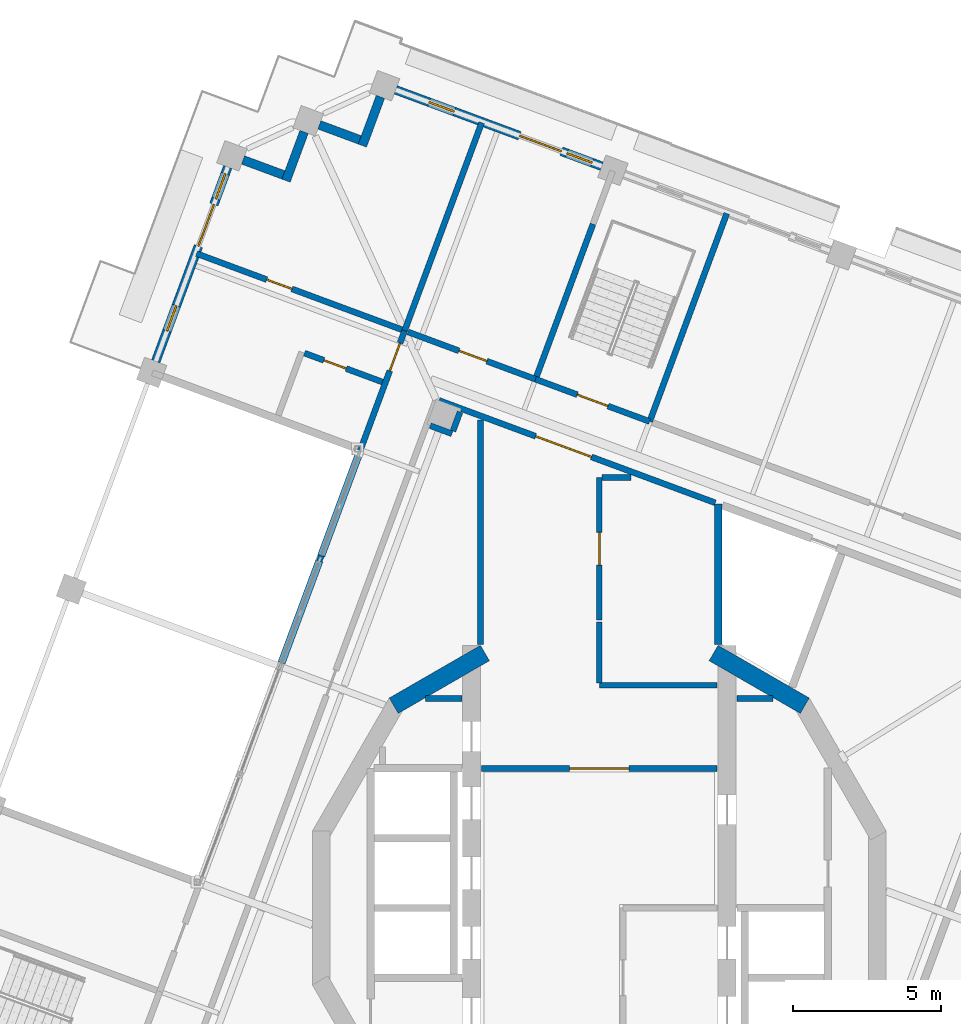
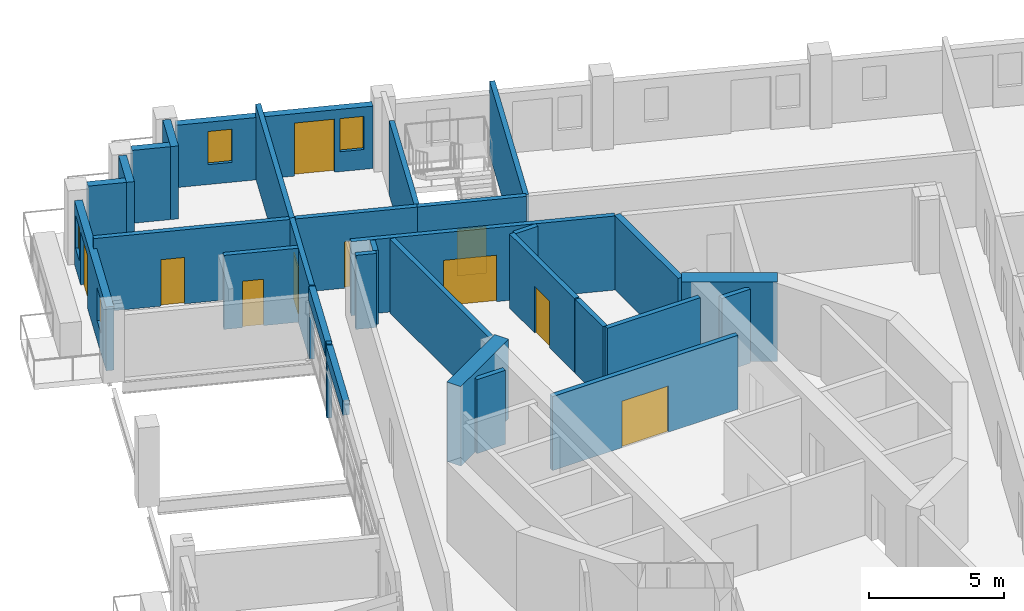
# One storey, part 11 of 20: 31 walls, 10 doors, 4 windows, 14 openings.
"""IFC4 building model written with IfcOpenShell, lengths in metres."""

from ifc_helpers import new_model, si_unit, direction, frame, frame_2d, origin, place, context, subcontext, project, spatial, rectangle, extrude, material, layer, layer_set, type_object, element, fill, save


model = new_model("IFC4")

# Units and contexts
model_context = context("Model", 3, precision=1e-05, world=origin(), true_north=direction((0.0, 1.0)))
body_context = subcontext(model_context, "Body", "Model", "MODEL_VIEW")
ifc_project = project(units=[si_unit("LENGTHUNIT", "METRE"), si_unit("AREAUNIT", "SQUARE_METRE"), si_unit("VOLUMEUNIT", "CUBIC_METRE"), si_unit("PLANEANGLEUNIT", "RADIAN"), si_unit("MASSUNIT", "GRAM", prefix="KILO")], contexts=[model_context])

# Site, building, storey
site_placement = place(None, origin())
site = spatial("IfcSite", under=ifc_project, at=site_placement, CompositionType="ELEMENT")
building_placement = place(site_placement, origin())
building = spatial("IfcBuilding", under=site, at=building_placement, Name="Cantera Rosa Tower", CompositionType="ELEMENT")
storey_placement = place(building_placement, frame((0.0, 0.0, 313.300048828125)))
storey = spatial("IfcBuildingStorey", under=building, at=storey_placement, Name="L69", CompositionType="ELEMENT", Elevation=313.300048828125)

# Wall, opening, door
ifc_material_1 = material(Name="Gypsum board partition")
ifc_layer_1 = layer(ifc_material_1, 0.199951171875)
ifc_layer_set_1 = layer_set([ifc_layer_1], Name="CORRIDOR WALL 200 H3350")
wall_type_1 = type_object("IfcWallType", Name="CORRIDOR WALL 200 H3350", PredefinedType="PARTITIONING", material=ifc_layer_set_1)
wall_1_placement = place(storey_placement, frame((-6.5537109375, 19.438720703125, 0.0), z_axis=(0.0, 0.0, 1.0), x_axis=(-0.347494854736, -0.937681889519, 0.0)))
wall_1 = element("IfcWall", 1, at=wall_1_placement, inside=storey, type_object=wall_type_1, Name="CORRIDOR WALL L69-028", PredefinedType="PARTITIONING", context=body_context, shape_type="SweptSolid", body=[
    extrude(rectangle(XDim=4.405029296875, YDim=0.199951171875, at=frame_2d((2.20263671875, 0.0))), origin(), (0.0, 0.0, 1.0), 3.349853515625),
])
opening_1_placement = place(wall_1_placement, frame((0.43994140625, 0.0, 0.0)))
opening_1 = element("IfcOpeningElement", 2, at=opening_1_placement, cuts=wall_1, Name="Opening L69-023", PredefinedType="OPENING", context=body_context, shape_type="SweptSolid", body=[
    extrude(rectangle(XDim=1.0, YDim=2.10009765625, at=frame_2d((0.5, 1.050048828125))), frame((0.0, 0.10986328125, 0.0), z_axis=(0.0, -1.0, 0.0), x_axis=(1.0, 0.0, 0.0)), (0.0, 0.0, 1.0), 0.219970703125),
])
ifc_material_2 = material(Name="Timber door leaf", Category="wood")
door_type_1 = type_object("IfcDoorType", Name="ENTRANCE DOOR 1000x2100", OperationType="NOTDEFINED", PredefinedType="DOOR", material=ifc_material_2)
door_1_placement = place(opening_1_placement, origin())
door_1 = element("IfcDoor", 3, at=door_1_placement, inside=storey, type_object=door_type_1, Name="DOOR L69-023", OperationType="NOTDEFINED", OverallHeight=2.10009765625, OverallWidth=1.0, PredefinedType="DOOR", context=body_context, shape_type="SweptSolid", body=[
    extrude(rectangle(XDim=1.0, YDim=2.10009765625, at=frame_2d((0.5, 1.050048828125))), frame((0.0, 0.02490234375, 0.0), z_axis=(0.0, -1.0, 0.0), x_axis=(1.0, 0.0, 0.0)), (0.0, 0.0, 1.0), 0.050048828125),
])
fill(opening_1, door_1)

# Walls
wall_2_placement = place(storey_placement, frame((-9.359130859375, 11.86865234375, 0.0), z_axis=(0.0, 0.0, 1.0), x_axis=(-0.347396343458, -0.937718390857, 0.0)))
element("IfcWall", 4, at=wall_2_placement, inside=storey, type_object=wall_type_1, Name="CORRIDOR WALL L69-029", PredefinedType="PARTITIONING", context=body_context, shape_type="SweptSolid", body=[
    extrude(rectangle(XDim=0.19384765625, YDim=0.199951171875, at=frame_2d((0.096923828125, 0.0))), origin(), (0.0, 0.0, 1.0), 3.349853515625),
])
wall_3_placement = place(storey_placement, frame((-4.0, 16.4326171875, 0.0), z_axis=(0.0, 0.0, 1.0), x_axis=(0.0, -1.0, 0.0)))
element("IfcWall", 5, at=wall_3_placement, inside=storey, type_object=wall_type_1, Name="CORRIDOR WALL L69-048", PredefinedType="PARTITIONING", context=body_context, shape_type="SweptSolid", body=[
    extrude(rectangle(XDim=7.5537109375, YDim=0.199951171875, at=frame_2d((3.77685546875, 0.0))), origin(), (0.0, 0.0, 1.0), 3.349853515625),
])

# Wall, opening, door
wall_4_placement = place(storey_placement, frame((-3.969970703125, 4.699951171875, 0.0), z_axis=(0.0, 0.0, 1.0), x_axis=(1.0, 0.0, 0.0)))
wall_4 = element("IfcWall", 6, at=wall_4_placement, inside=storey, type_object=wall_type_1, Name="CORRIDOR WALL L69-049", PredefinedType="PARTITIONING", context=body_context, shape_type="SweptSolid", body=[
    extrude(rectangle(XDim=7.93994140625, YDim=0.199951171875, at=frame_2d((3.969970703125, 0.0))), origin(), (0.0, 0.0, 1.0), 3.349853515625),
])
opening_2_placement = place(wall_4_placement, frame((2.969970703125, 0.0, 0.0)))
opening_2 = element("IfcOpeningElement", 7, at=opening_2_placement, cuts=wall_4, Name="Opening L69-010", PredefinedType="OPENING", context=body_context, shape_type="SweptSolid", body=[
    extrude(rectangle(XDim=2.0, YDim=2.10009765625, at=frame_2d((1.0, 1.050048828125))), frame((0.0, 0.10986328125, 0.0), z_axis=(0.0, -1.0, 0.0), x_axis=(1.0, 0.0, 0.0)), (0.0, 0.0, 1.0), 0.219970703125),
])
ifc_material_3 = material(Name="Steel S355J2 (EN 10025-2)", Category="steel")
door_type_2 = type_object("IfcDoorType", Name="LOBBY SCREEN DOOR 2000x2100", OperationType="NOTDEFINED", PredefinedType="DOOR", material=ifc_material_3)
door_2_placement = place(opening_2_placement, origin())
door_2 = element("IfcDoor", 8, at=door_2_placement, inside=storey, type_object=door_type_2, Name="DOOR L69-010", OperationType="NOTDEFINED", OverallHeight=2.10009765625, OverallWidth=2.0, PredefinedType="DOOR", context=body_context, shape_type="SweptSolid", body=[
    extrude(rectangle(XDim=2.0, YDim=2.10009765625, at=frame_2d((1.0, 1.050048828125))), frame((0.0, 0.02490234375, 0.0), z_axis=(0.0, -1.0, 0.0), x_axis=(1.0, 0.0, 0.0)), (0.0, 0.0, 1.0), 0.050048828125),
])
fill(opening_2, door_2)

wall_5_placement = place(storey_placement, frame((-2.146728515625, 17.805419921875, 0.0), z_axis=(0.0, 0.0, 1.0), x_axis=(-0.937682514707, 0.347493167721, 0.0)))
wall_5 = element("IfcWall", 9, at=wall_5_placement, inside=storey, type_object=wall_type_1, Name="CORRIDOR WALL L69-050", PredefinedType="PARTITIONING", context=body_context, shape_type="SweptSolid", body=[
    extrude(rectangle(XDim=4.580078125, YDim=0.199951171875, at=frame_2d((2.2900390625, 0.0))), origin(), (0.0, 0.0, 1.0), 3.349853515625),
])
opening_3_placement = place(wall_5_placement, frame((1.75, 0.0, 0.0)))
opening_3 = element("IfcOpeningElement", 10, at=opening_3_placement, cuts=wall_5, Name="Opening L69-021", PredefinedType="OPENING", context=body_context, shape_type="SweptSolid", body=[
    extrude(rectangle(XDim=1.0, YDim=2.10009765625, at=frame_2d((0.5, 1.050048828125))), frame((0.0, 0.10986328125, 0.0), z_axis=(0.0, -1.0, 0.0), x_axis=(1.0, 0.0, 0.0)), (0.0, 0.0, 1.0), 0.219970703125),
])
ifc_material_4 = material(Name="Timber door leaf", Category="wood")
door_type_3 = type_object("IfcDoorType", Name="ROOM DOOR 1000x2100", OperationType="NOTDEFINED", PredefinedType="DOOR", material=ifc_material_4)
door_3_placement = place(opening_3_placement, origin())
door_3 = element("IfcDoor", 11, at=door_3_placement, inside=storey, type_object=door_type_3, Name="DOOR L69-021", OperationType="NOTDEFINED", OverallHeight=2.10009765625, OverallWidth=1.0, PredefinedType="DOOR", context=body_context, shape_type="SweptSolid", body=[
    extrude(rectangle(XDim=1.0, YDim=2.10009765625, at=frame_2d((0.5, 1.050048828125))), frame((0.0, 0.02490234375, 0.0), z_axis=(0.0, -1.0, 0.0), x_axis=(1.0, 0.0, 0.0)), (0.0, 0.0, 1.0), 0.050048828125),
])
fill(opening_3, door_3)

# Walls
wall_6_placement = place(storey_placement, frame((0.0, 7.5, 0.0), z_axis=(0.0, 0.0, 1.0), x_axis=(1.0, 0.0, 0.0)))
element("IfcWall", 12, at=wall_6_placement, inside=storey, type_object=wall_type_1, Name="CORRIDOR WALL L69-052", PredefinedType="PARTITIONING", context=body_context, shape_type="SweptSolid", body=[
    extrude(rectangle(XDim=3.969970703125, YDim=0.199951171875, at=frame_2d((1.98486328125, 0.0))), origin(), (0.0, 0.0, 1.0), 3.349853515625),
])
wall_7_placement = place(storey_placement, frame((0.0, 9.62939453125, 0.0), z_axis=(0.0, 0.0, 1.0), x_axis=(0.0, -1.0, 0.0)))
element("IfcWall", 13, at=wall_7_placement, inside=storey, type_object=wall_type_1, Name="CORRIDOR WALL L69-053", PredefinedType="PARTITIONING", context=body_context, shape_type="SweptSolid", body=[
    extrude(rectangle(XDim=2.04931640625, YDim=0.199951171875, at=frame_2d((1.024658203125, 0.0))), origin(), (0.0, 0.0, 1.0), 3.349853515625),
])

# Wall, opening, door
wall_8_placement = place(storey_placement, frame((0.0, 14.5, 0.0), z_axis=(0.0, 0.0, 1.0), x_axis=(0.0, -1.0, 0.0)))
wall_8 = element("IfcWall", 14, at=wall_8_placement, inside=storey, type_object=wall_type_1, Name="CORRIDOR WALL L69-054", PredefinedType="PARTITIONING", context=body_context, shape_type="SweptSolid", body=[
    extrude(rectangle(XDim=4.810791015625, YDim=0.199951171875, at=frame_2d((2.4052734375, 0.0))), origin(), (0.0, 0.0, 1.0), 3.349853515625),
])
opening_4_placement = place(wall_8_placement, frame((1.85546875, 0.0, 0.0)))
opening_4 = element("IfcOpeningElement", 15, at=opening_4_placement, cuts=wall_8, Name="Opening L69-014", PredefinedType="OPENING", context=body_context, shape_type="SweptSolid", body=[
    extrude(rectangle(XDim=1.10009765625, YDim=2.10009765625, at=frame_2d((0.550048828125, 1.050048828125))), frame((0.0, 0.10986328125, 0.0), z_axis=(0.0, -1.0, 0.0), x_axis=(1.0, 0.0, 0.0)), (0.0, 0.0, 1.0), 0.219970703125),
])
ifc_material_5 = material(Name="Timber door leaf", Category="wood")
door_type_4 = type_object("IfcDoorType", Name="ROOM DOOR 1100x2100", OperationType="NOTDEFINED", PredefinedType="DOOR", material=ifc_material_5)
door_4_placement = place(opening_4_placement, origin())
door_4 = element("IfcDoor", 16, at=door_4_placement, inside=storey, type_object=door_type_4, Name="DOOR L69-014", OperationType="NOTDEFINED", OverallHeight=2.10009765625, OverallWidth=1.10009765625, PredefinedType="DOOR", context=body_context, shape_type="SweptSolid", body=[
    extrude(rectangle(XDim=1.10009765625, YDim=2.10009765625, at=frame_2d((0.550048828125, 1.050048828125))), frame((0.0, 0.02490234375, 0.0), z_axis=(0.0, -1.0, 0.0), x_axis=(1.0, 0.0, 0.0)), (0.0, 0.0, 1.0), 0.050048828125),
])
fill(opening_4, door_4)

# Wall
wall_9_placement = place(storey_placement, frame((1.072998046875, 14.5, 0.0), z_axis=(0.0, 0.0, 1.0), x_axis=(-1.0, 0.0, 0.0)))
element("IfcWall", 17, at=wall_9_placement, inside=storey, type_object=wall_type_1, Name="CORRIDOR WALL L69-060", PredefinedType="PARTITIONING", context=body_context, shape_type="SweptSolid", body=[
    extrude(rectangle(XDim=0.972900390625, YDim=0.199951171875, at=frame_2d((0.486328125, 0.0))), origin(), (0.0, 0.0, 1.0), 3.349853515625),
])

# Wall, opening, door
wall_10_placement = place(storey_placement, frame((3.90625, 13.642822265625, 0.0), z_axis=(0.0, 0.0, 1.0), x_axis=(-0.937688197535, 0.34747783268, 0.0)))
wall_10 = element("IfcWall", 18, at=wall_10_placement, inside=storey, type_object=wall_type_1, Name="CORRIDOR WALL L69-069", PredefinedType="PARTITIONING", context=body_context, shape_type="SweptSolid", body=[
    extrude(rectangle(XDim=9.922119140625, YDim=0.199951171875, at=frame_2d((4.9609375, 0.0))), origin(), (0.0, 0.0, 1.0), 3.349853515625),
])
opening_5_placement = place(wall_10_placement, frame((4.44921875, 0.0, 0.0)))
opening_5 = element("IfcOpeningElement", 19, at=opening_5_placement, cuts=wall_10, Name="Opening L69-009", PredefinedType="OPENING", context=body_context, shape_type="SweptSolid", body=[
    extrude(rectangle(XDim=2.0, YDim=2.10009765625, at=frame_2d((1.0, 1.050048828125))), frame((0.0, 0.10986328125, 0.0), z_axis=(0.0, -1.0, 0.0), x_axis=(1.0, 0.0, 0.0)), (0.0, 0.0, 1.0), 0.219970703125),
])
door_5_placement = place(opening_5_placement, origin())
door_5 = element("IfcDoor", 20, at=door_5_placement, inside=storey, type_object=door_type_2, Name="DOOR L69-009", OperationType="NOTDEFINED", OverallHeight=2.10009765625, OverallWidth=2.0, PredefinedType="DOOR", context=body_context, shape_type="SweptSolid", body=[
    extrude(rectangle(XDim=2.0, YDim=2.10009765625, at=frame_2d((1.0, 1.050048828125))), frame((0.0, 0.02490234375, 0.0), z_axis=(0.0, -1.0, 0.0), x_axis=(1.0, 0.0, 0.0)), (0.0, 0.0, 1.0), 0.050048828125),
])
fill(opening_5, door_5)

# Walls
ifc_material_6 = material(Name="Hollow clay masonry with cantera stone cladding", Category="masonry")
ifc_layer_2 = layer(ifc_material_6, 0.300048828125)
ifc_layer_set_2 = layer_set([ifc_layer_2], Name="EW-LOGGIA 300")
wall_type_2 = type_object("IfcWallType", Name="EW-LOGGIA 300", PredefinedType="SOLIDWALL", material=ifc_layer_set_2)
wall_11_placement = place(storey_placement, frame((-7.36865234375, 27.312255859375, 0.0), z_axis=(0.0, 0.0, 1.0), x_axis=(-0.34752790836, -0.937669639538, 0.0)))
element("IfcWall", 21, at=wall_11_placement, inside=storey, type_object=wall_type_2, Name="EN-L69-W05a", PredefinedType="SOLIDWALL", context=body_context, shape_type="SweptSolid", body=[
    extrude(rectangle(XDim=1.75, YDim=0.300048828125, at=frame_2d((0.875, 0.0))), origin(), (0.0, 0.0, 1.0), 3.300048828125),
])
wall_12_placement = place(storey_placement, frame((-8.065185546875, 25.8642578125, 0.0), z_axis=(0.0, 0.0, 1.0), x_axis=(-0.937671557958, 0.347522732201, 0.0)))
element("IfcWall", 22, at=wall_12_placement, inside=storey, type_object=wall_type_2, Name="EN-L69-W05b", PredefinedType="SOLIDWALL", context=body_context, shape_type="SweptSolid", body=[
    extrude(rectangle(XDim=1.449951171875, YDim=0.300048828125, at=frame_2d((0.72509765625, 0.0))), origin(), (0.0, 0.0, 1.0), 3.300048828125),
])
wall_13_placement = place(storey_placement, frame((-9.93896484375, 26.132080078125, 0.0), z_axis=(0.0, 0.0, 1.0), x_axis=(-0.34748245117, -0.937686486054, 0.0)))
element("IfcWall", 23, at=wall_13_placement, inside=storey, type_object=wall_type_2, Name="EN-L69-W06a", PredefinedType="SOLIDWALL", context=body_context, shape_type="SweptSolid", body=[
    extrude(rectangle(XDim=1.750244140625, YDim=0.300048828125, at=frame_2d((0.875, 0.0))), origin(), (0.0, 0.0, 1.0), 3.300048828125),
])
wall_14_placement = place(storey_placement, frame((-10.635498046875, 24.683837890625, 0.0), z_axis=(0.0, 0.0, 1.0), x_axis=(-0.937671557958, 0.347522732201, 0.0)))
element("IfcWall", 24, at=wall_14_placement, inside=storey, type_object=wall_type_2, Name="EN-L69-W06b", PredefinedType="SOLIDWALL", context=body_context, shape_type="SweptSolid", body=[
    extrude(rectangle(XDim=1.449951171875, YDim=0.300048828125, at=frame_2d((0.72509765625, 0.0))), origin(), (0.0, 0.0, 1.0), 3.300048828125),
])

# Wall, openings, windows, door
ifc_material_7 = material(Name="Hollow clay masonry with cantera stone cladding", Category="masonry")
ifc_layer_3 = layer(ifc_material_7, 0.300048828125)
ifc_layer_set_3 = layer_set([ifc_layer_3], Name="EW-LOGGIA 300 H2820")
wall_type_3 = type_object("IfcWallType", Name="EW-LOGGIA 300 H2820", PredefinedType="SOLIDWALL", material=ifc_layer_set_3)
wall_15_placement = place(storey_placement, frame((0.084228515625, 24.97705078125, 0.0), z_axis=(0.0, 0.0, 1.0), x_axis=(-0.937687456783, 0.347479831633, 0.0)))
wall_15 = element("IfcWall", 25, at=wall_15_placement, inside=storey, type_object=wall_type_3, Name="EN-L69-W04", PredefinedType="SOLIDWALL", context=body_context, shape_type="SweptSolid", body=[
    extrude(rectangle(XDim=7.39990234375, YDim=0.300048828125, at=frame_2d((3.699951171875, 0.0))), origin(), (0.0, 0.0, 1.0), 2.820068359375),
])
opening_6_placement = place(wall_15_placement, frame((0.35009765625, 0.0, 0.89990234375)))
opening_6 = element("IfcOpeningElement", 26, at=opening_6_placement, cuts=wall_15, Name="Opening L69-W10", PredefinedType="OPENING", context=body_context, shape_type="SweptSolid", body=[
    extrude(rectangle(XDim=0.89990234375, YDim=1.5, at=frame_2d((0.449951171875, 0.75))), frame((0.0, 0.159912109375, 0.0), z_axis=(0.0, -1.0, 0.0), x_axis=(1.0, 0.0, 0.0)), (0.0, 0.0, 1.0), 0.320068359375),
])
opening_7_placement = place(wall_15_placement, frame((1.449951171875, 0.0, 0.0)))
opening_7 = element("IfcOpeningElement", 27, at=opening_7_placement, cuts=wall_15, Name="Opening L69-TD11", PredefinedType="OPENING", context=body_context, shape_type="SweptSolid", body=[
    extrude(rectangle(XDim=1.5, YDim=2.39990234375, at=frame_2d((0.75, 1.199951171875))), frame((0.0, 0.159912109375, 0.0), z_axis=(0.0, -1.0, 0.0), x_axis=(1.0, 0.0, 0.0)), (0.0, 0.0, 1.0), 0.320068359375),
])
opening_8_placement = place(wall_15_placement, frame((5.300048828125, 0.0, 0.89990234375)))
opening_8 = element("IfcOpeningElement", 28, at=opening_8_placement, cuts=wall_15, Name="Opening L69-W12", PredefinedType="OPENING", context=body_context, shape_type="SweptSolid", body=[
    extrude(rectangle(XDim=0.89990234375, YDim=1.5, at=frame_2d((0.449951171875, 0.75))), frame((0.0, 0.159912109375, 0.0), z_axis=(0.0, -1.0, 0.0), x_axis=(1.0, 0.0, 0.0)), (0.0, 0.0, 1.0), 0.320068359375),
])
ifc_material_8 = material(Name="Aluminium frame with clear glass", Category="aluminium")
window_type = type_object("IfcWindowType", Name="Residential window 900x1500", PartitioningType="SINGLE_PANEL", PredefinedType="WINDOW", material=ifc_material_8)
window_1_placement = place(opening_6_placement, origin())
window_1 = element("IfcWindow", 29, at=window_1_placement, inside=storey, type_object=window_type, Name="WINDOW L69-W10", OverallHeight=1.5, OverallWidth=0.89990234375, PartitioningType="SINGLE_PANEL", PredefinedType="WINDOW", context=body_context, shape_type="SweptSolid", body=[
    extrude(rectangle(XDim=0.89990234375, YDim=1.5, at=frame_2d((0.449951171875, 0.75))), frame((0.0, 0.030029296875, 0.0), z_axis=(0.0, -1.0, 0.0), x_axis=(1.0, 0.0, 0.0)), (0.0, 0.0, 1.0), 0.06005859375),
])
fill(opening_6, window_1)
window_2_placement = place(opening_8_placement, origin())
window_2 = element("IfcWindow", 30, at=window_2_placement, inside=storey, type_object=window_type, Name="WINDOW L69-W12", OverallHeight=1.5, OverallWidth=0.89990234375, PartitioningType="SINGLE_PANEL", PredefinedType="WINDOW", context=body_context, shape_type="SweptSolid", body=[
    extrude(rectangle(XDim=0.89990234375, YDim=1.5, at=frame_2d((0.449951171875, 0.75))), frame((0.0, 0.030029296875, 0.0), z_axis=(0.0, -1.0, 0.0), x_axis=(1.0, 0.0, 0.0)), (0.0, 0.0, 1.0), 0.06005859375),
])
fill(opening_8, window_2)
ifc_material_9 = material(Name="Aluminium frame with clear glass", Category="aluminium")
door_type_5 = type_object("IfcDoorType", Name="TD-R 1500x2400", OperationType="NOTDEFINED", PredefinedType="DOOR", material=ifc_material_9)
door_6_placement = place(opening_7_placement, origin())
door_6 = element("IfcDoor", 31, at=door_6_placement, inside=storey, type_object=door_type_5, Name="LOGGIA DOOR L69-TD11", OperationType="SLIDING_TO_LEFT", OverallHeight=2.39990234375, OverallWidth=1.5, PredefinedType="DOOR", context=body_context, shape_type="SweptSolid", body=[
    extrude(rectangle(XDim=1.5, YDim=2.39990234375, at=frame_2d((0.75, 1.199951171875))), frame((0.0, 0.02490234375, 0.0), z_axis=(0.0, -1.0, 0.0), x_axis=(1.0, 0.0, 0.0)), (0.0, 0.0, 1.0), 0.050048828125),
])
fill(opening_7, door_6)

ifc_material_10 = material(Name="Hollow clay masonry with cantera stone cladding", Category="masonry")
ifc_layer_4 = layer(ifc_material_10, 0.300048828125)
ifc_layer_set_4 = layer_set([ifc_layer_4], Name="EW-LOGGIA 300 H2890")
wall_type_4 = type_object("IfcWallType", Name="EW-LOGGIA 300 H2890", PredefinedType="SOLIDWALL", material=ifc_layer_set_4)
wall_16_placement = place(storey_placement, frame((-12.50927734375, 24.95166015625, 0.0), z_axis=(0.0, 0.0, 1.0), x_axis=(-0.347490919506, -0.937683347864, 0.0)))
wall_16 = element("IfcWall", 32, at=wall_16_placement, inside=storey, type_object=wall_type_4, Name="EN-L69-W07", PredefinedType="SOLIDWALL", context=body_context, shape_type="SweptSolid", body=[
    extrude(rectangle(XDim=6.980224609375, YDim=0.300048828125, at=frame_2d((3.490234375, 0.0))), origin(), (0.0, 0.0, 1.0), 2.889892578125),
])
opening_9_placement = place(wall_16_placement, frame((0.2451171875, 0.0, 0.89990234375)))
opening_9 = element("IfcOpeningElement", 33, at=opening_9_placement, cuts=wall_16, Name="Opening L69-W13", PredefinedType="OPENING", context=body_context, shape_type="SweptSolid", body=[
    extrude(rectangle(XDim=0.89990234375, YDim=1.5, at=frame_2d((0.449951171875, 0.75))), frame((0.0, 0.159912109375, 0.0), z_axis=(0.0, -1.0, 0.0), x_axis=(1.0, 0.0, 0.0)), (0.0, 0.0, 1.0), 0.320068359375),
])
opening_10_placement = place(wall_16_placement, frame((1.344970703125, 0.0, 0.0)))
opening_10 = element("IfcOpeningElement", 34, at=opening_10_placement, cuts=wall_16, Name="Opening L69-TD14", PredefinedType="OPENING", context=body_context, shape_type="SweptSolid", body=[
    extrude(rectangle(XDim=1.5, YDim=2.39990234375, at=frame_2d((0.75, 1.199951171875))), frame((0.0, 0.159912109375, 0.0), z_axis=(0.0, -1.0, 0.0), x_axis=(1.0, 0.0, 0.0)), (0.0, 0.0, 1.0), 0.320068359375),
])
opening_11_placement = place(wall_16_placement, frame((4.985107421875, 0.0, 0.89990234375)))
opening_11 = element("IfcOpeningElement", 35, at=opening_11_placement, cuts=wall_16, Name="Opening L69-W15", PredefinedType="OPENING", context=body_context, shape_type="SweptSolid", body=[
    extrude(rectangle(XDim=0.89990234375, YDim=1.5, at=frame_2d((0.449951171875, 0.75))), frame((0.0, 0.159912109375, 0.0), z_axis=(0.0, -1.0, 0.0), x_axis=(1.0, 0.0, 0.0)), (0.0, 0.0, 1.0), 0.320068359375),
])
window_3_placement = place(opening_9_placement, origin())
window_3 = element("IfcWindow", 36, at=window_3_placement, inside=storey, type_object=window_type, Name="WINDOW L69-W13", OverallHeight=1.5, OverallWidth=0.89990234375, PartitioningType="SINGLE_PANEL", PredefinedType="WINDOW", context=body_context, shape_type="SweptSolid", body=[
    extrude(rectangle(XDim=0.89990234375, YDim=1.5, at=frame_2d((0.449951171875, 0.75))), frame((0.0, 0.030029296875, 0.0), z_axis=(0.0, -1.0, 0.0), x_axis=(1.0, 0.0, 0.0)), (0.0, 0.0, 1.0), 0.06005859375),
])
fill(opening_9, window_3)
window_4_placement = place(opening_11_placement, origin())
window_4 = element("IfcWindow", 37, at=window_4_placement, inside=storey, type_object=window_type, Name="WINDOW L69-W15", OverallHeight=1.5, OverallWidth=0.89990234375, PartitioningType="SINGLE_PANEL", PredefinedType="WINDOW", context=body_context, shape_type="SweptSolid", body=[
    extrude(rectangle(XDim=0.89990234375, YDim=1.5, at=frame_2d((0.449951171875, 0.75))), frame((0.0, 0.030029296875, 0.0), z_axis=(0.0, -1.0, 0.0), x_axis=(1.0, 0.0, 0.0)), (0.0, 0.0, 1.0), 0.06005859375),
])
fill(opening_11, window_4)
door_7_placement = place(opening_10_placement, origin())
door_7 = element("IfcDoor", 38, at=door_7_placement, inside=storey, type_object=door_type_5, Name="LOGGIA DOOR L69-TD14", OperationType="SLIDING_TO_LEFT", OverallHeight=2.39990234375, OverallWidth=1.5, PredefinedType="DOOR", context=body_context, shape_type="SweptSolid", body=[
    extrude(rectangle(XDim=1.5, YDim=2.39990234375, at=frame_2d((0.75, 1.199951171875))), frame((0.0, 0.02490234375, 0.0), z_axis=(0.0, -1.0, 0.0), x_axis=(1.0, 0.0, 0.0)), (0.0, 0.0, 1.0), 0.050048828125),
])
fill(opening_10, door_7)

# Walls
ifc_material_11 = material(Name="Hollow clay masonry with cantera stone cladding", Category="masonry")
ifc_layer_5 = layer(ifc_material_11, 0.25)
ifc_layer_set_5 = layer_set([ifc_layer_5], Name="EW-POCKET REAR 250")
wall_type_5 = type_object("IfcWallType", Name="EW-POCKET REAR 250", PredefinedType="SOLIDWALL", material=ifc_layer_set_5)
wall_17_placement = place(storey_placement, frame((-8.08447265625, 15.30810546875, 2.657958984375), z_axis=(0.0, 0.0, 1.0), x_axis=(-0.347502945149, -0.937678891259, 0.0)))
element("IfcWall", 39, at=wall_17_placement, inside=storey, type_object=wall_type_5, Name="POCKET SPANDREL L69-1", PredefinedType="SOLIDWALL", context=body_context, shape_type="SweptSolid", body=[
    extrude(rectangle(XDim=3.66796875, YDim=0.25, at=frame_2d((1.833984375, 0.0))), origin(), (0.0, 0.0, 1.0), 0.64208984375),
])
wall_18_placement = place(storey_placement, frame((-9.426513671875, 11.686767578125, 2.657958984375), z_axis=(0.0, 0.0, 1.0), x_axis=(-0.347486056262, -0.937685150092, 0.0)))
element("IfcWall", 40, at=wall_18_placement, inside=storey, type_object=wall_type_5, Name="POCKET SPANDREL L69-2", PredefinedType="SOLIDWALL", context=body_context, shape_type="SweptSolid", body=[
    extrude(rectangle(XDim=3.658447265625, YDim=0.25, at=frame_2d((1.8291015625, 0.0))), origin(), (0.0, 0.0, 1.0), 0.64208984375),
])

# Wall, opening, door
ifc_material_12 = material(Name="Gypsum board partition")
ifc_layer_6 = layer(ifc_material_12, 0.199951171875)
ifc_layer_set_6 = layer_set([ifc_layer_6], Name="PARTITION 200 H3350")
wall_type_6 = type_object("IfcWallType", Name="PARTITION 200 H3350", PredefinedType="PARTITIONING", material=ifc_layer_set_6)
wall_19_placement = place(storey_placement, frame((-9.926513671875, 18.68359375, 0.0), z_axis=(0.0, 0.0, 1.0), x_axis=(0.937673016978, -0.347518795507, 0.0)))
wall_19 = element("IfcWall", 41, at=wall_19_placement, inside=storey, type_object=wall_type_6, Name="PARTITION L69-017", PredefinedType="PARTITIONING", context=body_context, shape_type="SweptSolid", body=[
    extrude(rectangle(XDim=2.80029296875, YDim=0.199951171875, at=frame_2d((1.400146484375, 0.0))), origin(), (0.0, 0.0, 1.0), 3.349853515625),
])
opening_12_placement = place(wall_19_placement, frame((0.699951171875, 0.0, 0.0)))
opening_12 = element("IfcOpeningElement", 42, at=opening_12_placement, cuts=wall_19, Name="Opening L69-024", PredefinedType="OPENING", context=body_context, shape_type="SweptSolid", body=[
    extrude(rectangle(XDim=0.800048828125, YDim=2.10009765625, at=frame_2d((0.39990234375, 1.050048828125))), frame((0.0, 0.10986328125, 0.0), z_axis=(0.0, -1.0, 0.0), x_axis=(1.0, 0.0, 0.0)), (0.0, 0.0, 1.0), 0.219970703125),
])
ifc_material_13 = material(Name="Timber door leaf", Category="wood")
door_type_6 = type_object("IfcDoorType", Name="BATHROOM DOOR 800x2100", OperationType="NOTDEFINED", PredefinedType="DOOR", material=ifc_material_13)
door_8_placement = place(opening_12_placement, origin())
door_8 = element("IfcDoor", 43, at=door_8_placement, inside=storey, type_object=door_type_6, Name="DOOR L69-024", OperationType="NOTDEFINED", OverallHeight=2.10009765625, OverallWidth=0.800048828125, PredefinedType="DOOR", context=body_context, shape_type="SweptSolid", body=[
    extrude(rectangle(XDim=0.800048828125, YDim=2.10009765625, at=frame_2d((0.39990234375, 1.050048828125))), frame((0.0, 0.02490234375, 0.0), z_axis=(0.0, -1.0, 0.0), x_axis=(1.0, 0.0, 0.0)), (0.0, 0.0, 1.0), 0.050048828125),
])
fill(opening_12, door_8)

wall_20_placement = place(storey_placement, frame((-6.647705078125, 19.473388671875, 0.0), z_axis=(0.0, 0.0, 1.0), x_axis=(-0.937691605032, 0.347468637221, 0.0)))
wall_20 = element("IfcWall", 44, at=wall_20_placement, inside=storey, type_object=wall_type_6, Name="PARTITION L69-033", PredefinedType="PARTITIONING", context=body_context, shape_type="SweptSolid", body=[
    extrude(rectangle(XDim=7.369873046875, YDim=0.199951171875, at=frame_2d((3.68505859375, 0.0))), origin(), (0.0, 0.0, 1.0), 3.349853515625),
])
opening_13_placement = place(wall_20_placement, frame((3.949951171875, 0.0, 0.0)))
opening_13 = element("IfcOpeningElement", 45, at=opening_13_placement, cuts=wall_20, Name="Opening L69-025", PredefinedType="OPENING", context=body_context, shape_type="SweptSolid", body=[
    extrude(rectangle(XDim=0.89990234375, YDim=2.10009765625, at=frame_2d((0.449951171875, 1.050048828125))), frame((0.0, 0.10986328125, 0.0), z_axis=(0.0, -1.0, 0.0), x_axis=(1.0, 0.0, 0.0)), (0.0, 0.0, 1.0), 0.219970703125),
])
ifc_material_14 = material(Name="Timber door leaf", Category="wood")
door_type_7 = type_object("IfcDoorType", Name="ROOM DOOR 900x2100", OperationType="NOTDEFINED", PredefinedType="DOOR", material=ifc_material_14)
door_9_placement = place(opening_13_placement, origin())
door_9 = element("IfcDoor", 46, at=door_9_placement, inside=storey, type_object=door_type_7, Name="DOOR L69-025", OperationType="NOTDEFINED", OverallHeight=2.10009765625, OverallWidth=0.89990234375, PredefinedType="DOOR", context=body_context, shape_type="SweptSolid", body=[
    extrude(rectangle(XDim=0.89990234375, YDim=2.10009765625, at=frame_2d((0.449951171875, 1.050048828125))), frame((0.0, 0.02490234375, 0.0), z_axis=(0.0, -1.0, 0.0), x_axis=(1.0, 0.0, 0.0)), (0.0, 0.0, 1.0), 0.050048828125),
])
fill(opening_13, door_9)

# Walls
wall_21_placement = place(storey_placement, frame((-5.84765625, 7.050048828125, 0.0), z_axis=(0.0, 0.0, 1.0), x_axis=(1.0, 0.0, 0.0)))
element("IfcWall", 47, at=wall_21_placement, inside=storey, type_object=wall_type_6, Name="PARTITION L69-036", PredefinedType="PARTITIONING", context=body_context, shape_type="SweptSolid", body=[
    extrude(rectangle(XDim=1.2177734375, YDim=0.199951171875, at=frame_2d((0.60888671875, 0.0))), origin(), (0.0, 0.0, 1.0), 3.349853515625),
])
wall_22_placement = place(storey_placement, frame((-5.691650390625, 16.23974609375, 0.0), z_axis=(0.0, 0.0, 1.0), x_axis=(0.93771100034, -0.347416291848, 0.0)))
element("IfcWall", 48, at=wall_22_placement, inside=storey, type_object=wall_type_6, Name="PARTITION L69-037", PredefinedType="PARTITIONING", context=body_context, shape_type="SweptSolid", body=[
    extrude(rectangle(XDim=0.780029296875, YDim=0.199951171875, at=frame_2d((0.39013671875, 0.0))), origin(), (0.0, 0.0, 1.0), 3.349853515625),
])
wall_23_placement = place(storey_placement, frame((-4.925537109375, 16.0625, 0.0), z_axis=(0.0, 0.0, 1.0), x_axis=(0.347501421626, 0.937679455874, 0.0)))
element("IfcWall", 49, at=wall_23_placement, inside=storey, type_object=wall_type_6, Name="PARTITION L69-042", PredefinedType="PARTITIONING", context=body_context, shape_type="SweptSolid", body=[
    extrude(rectangle(XDim=0.68017578125, YDim=0.199951171875, at=frame_2d((0.340087890625, 0.0))), origin(), (0.0, 0.0, 1.0), 3.349853515625),
])
wall_24_placement = place(storey_placement, frame((4.6298828125, 7.050048828125, 0.0), z_axis=(0.0, 0.0, 1.0), x_axis=(1.0, 0.0, 0.0)))
element("IfcWall", 50, at=wall_24_placement, inside=storey, type_object=wall_type_6, Name="PARTITION L69-071", PredefinedType="PARTITIONING", context=body_context, shape_type="SweptSolid", body=[
    extrude(rectangle(XDim=1.2177734375, YDim=0.199951171875, at=frame_2d((0.60888671875, 0.0))), origin(), (0.0, 0.0, 1.0), 3.349853515625),
])
ifc_material_15 = material(Name="Gypsum board partition")
ifc_layer_7 = layer(ifc_material_15, 0.199951171875)
ifc_layer_set_7 = layer_set([ifc_layer_7], Name="PARTY WALL 200 H3350")
wall_type_7 = type_object("IfcWallType", Name="PARTY WALL 200 H3350", PredefinedType="PARTITIONING", material=ifc_layer_set_7)
wall_25_placement = place(storey_placement, frame((-6.5537109375, 19.438720703125, 0.0), z_axis=(0.0, 0.0, 1.0), x_axis=(0.347460186276, 0.93769473655, 0.0)))
element("IfcWall", 51, at=wall_25_placement, inside=storey, type_object=wall_type_7, Name="PARTY WALL L69-034", PredefinedType="PARTITIONING", context=body_context, shape_type="SweptSolid", body=[
    extrude(rectangle(XDim=7.4697265625, YDim=0.199951171875, at=frame_2d((3.73486328125, 0.0))), origin(), (0.0, 0.0, 1.0), 3.349853515625),
])
ifc_material_16 = material(Name="Concrete C50/60", Category="concrete")
ifc_layer_8 = layer(ifc_material_16, 0.60009765625)
ifc_layer_set_8 = layer_set([ifc_layer_8], Name="RC CORE WALL 600 C50/60")
wall_type_8 = type_object("IfcWallType", Name="RC CORE WALL 600 C50/60", PredefinedType="SHEAR", material=ifc_layer_set_8)
for number, where, z_axis, x_axis, name in (
    (52, (-6.921142578125, 6.811279296875, 0.0), (0.0, 0.0, 1.0), (0.866039982607, 0.499974747889, 0.0), "CW-W5 L69"),
    (53, (3.85009765625, 8.584228515625, 0.0), (0.0, 0.0, 1.0), (0.866039982607, -0.499974747889, 0.0), "CW-E1 L69"),
):
    element("IfcWall", number, at=place(storey_placement, frame(where, z_axis=z_axis, x_axis=x_axis)), inside=storey, type_object=wall_type_8, Name=name, PredefinedType="SHEAR", context=body_context, shape_type="SweptSolid", body=[
        extrude(rectangle(XDim=3.546142578125, YDim=0.60009765625, at=frame_2d((1.77294921875, 0.0))), origin(), (0.0, 0.0, 1.0), 3.599853515625),
    ])
ifc_material_17 = material(Name="Masonry blockwork", Category="masonry")
ifc_layer_9 = layer(ifc_material_17, 0.25)
ifc_layer_set_9 = layer_set([ifc_layer_9], Name="SHAFT WALL 250 H3350")
wall_type_9 = type_object("IfcWallType", Name="SHAFT WALL 250 H3350", PredefinedType="SOLIDWALL", material=ifc_layer_set_9)
wall_26_placement = place(storey_placement, frame((4.0, 8.87890625, 0.0), z_axis=(0.0, 0.0, 1.0), x_axis=(0.0, 1.0, 0.0)))
element("IfcWall", 54, at=wall_26_placement, inside=storey, type_object=wall_type_9, Name="SHAFT WALL L69-068", PredefinedType="SOLIDWALL", context=body_context, shape_type="SweptSolid", body=[
    extrude(rectangle(XDim=4.72900390625, YDim=0.25, at=frame_2d((2.364501953125, 0.0))), origin(), (0.0, 0.0, 1.0), 3.349853515625),
])

# Wall, opening, door
ifc_material_18 = material(Name="Concrete C50/60", Category="concrete")
ifc_layer_10 = layer(ifc_material_18, 0.199951171875)
ifc_layer_set_10 = layer_set([ifc_layer_10], Name="STAIR WALL 200 H3350")
wall_type_10 = type_object("IfcWallType", Name="STAIR WALL 200 H3350", PredefinedType="SOLIDWALL", material=ifc_layer_set_10)
wall_27_placement = place(storey_placement, frame((-2.146728515625, 17.805419921875, 0.0), z_axis=(0.0, 0.0, 1.0), x_axis=(0.937694876531, -0.347459808507, 0.0)))
wall_27 = element("IfcWall", 55, at=wall_27_placement, inside=storey, type_object=wall_type_10, Name="STAIR WALL L69-051", PredefinedType="SOLIDWALL", context=body_context, shape_type="SweptSolid", body=[
    extrude(rectangle(XDim=4.099853515625, YDim=0.199951171875, at=frame_2d((2.0498046875, 0.0))), origin(), (0.0, 0.0, 1.0), 3.349853515625),
])
opening_14_placement = place(wall_27_placement, frame((1.5, 0.0, 0.0)))
opening_14 = element("IfcOpeningElement", 56, at=opening_14_placement, cuts=wall_27, Name="Opening L69-002", PredefinedType="OPENING", context=body_context, shape_type="SweptSolid", body=[
    extrude(rectangle(XDim=1.10009765625, YDim=2.10009765625, at=frame_2d((0.550048828125, 1.050048828125))), frame((0.0, 0.10986328125, 0.0), z_axis=(0.0, -1.0, 0.0), x_axis=(1.0, 0.0, 0.0)), (0.0, 0.0, 1.0), 0.219970703125),
])
ifc_material_19 = material(Name="Steel S355J2 (EN 10025-2)", Category="steel")
door_type_8 = type_object("IfcDoorType", Name="STAIR DOOR 1100x2100", OperationType="NOTDEFINED", PredefinedType="DOOR", material=ifc_material_19)
door_10_placement = place(opening_14_placement, origin())
door_10 = element("IfcDoor", 57, at=door_10_placement, inside=storey, type_object=door_type_8, Name="DOOR L69-002", OperationType="NOTDEFINED", OverallHeight=2.10009765625, OverallWidth=1.10009765625, PredefinedType="DOOR", context=body_context, shape_type="SweptSolid", body=[
    extrude(rectangle(XDim=1.10009765625, YDim=2.10009765625, at=frame_2d((0.550048828125, 1.050048828125))), frame((0.0, 0.02490234375, 0.0), z_axis=(0.0, -1.0, 0.0), x_axis=(1.0, 0.0, 0.0)), (0.0, 0.0, 1.0), 0.050048828125),
])
fill(opening_14, door_10)

# Walls
wall_28_placement = place(storey_placement, frame((1.69775390625, 16.380859375, 0.0), z_axis=(0.0, 0.0, 1.0), x_axis=(0.347488923611, 0.937684087509, 0.0)))
element("IfcWall", 58, at=wall_28_placement, inside=storey, type_object=wall_type_10, Name="STAIR WALL L69-061", PredefinedType="SOLIDWALL", context=body_context, shape_type="SweptSolid", body=[
    extrude(rectangle(XDim=7.469970703125, YDim=0.199951171875, at=frame_2d((3.73486328125, 0.0))), origin(), (0.0, 0.0, 1.0), 3.349853515625),
])
wall_29_placement = place(storey_placement, frame((-0.211181640625, 23.0283203125, 0.0), z_axis=(0.0, 0.0, 1.0), x_axis=(-0.347494221501, -0.937682124189, 0.0)))
element("IfcWall", 59, at=wall_29_placement, inside=storey, type_object=wall_type_10, Name="STAIR WALL L69-055 J", PredefinedType="SOLIDWALL", context=body_context, shape_type="SweptSolid", body=[
    extrude(rectangle(XDim=5.570068359375, YDim=0.199951171875, at=frame_2d((2.78515625, 0.0))), origin(), (0.0, 0.0, 1.0), 3.349853515625),
])

save(model, "model.ifc")
